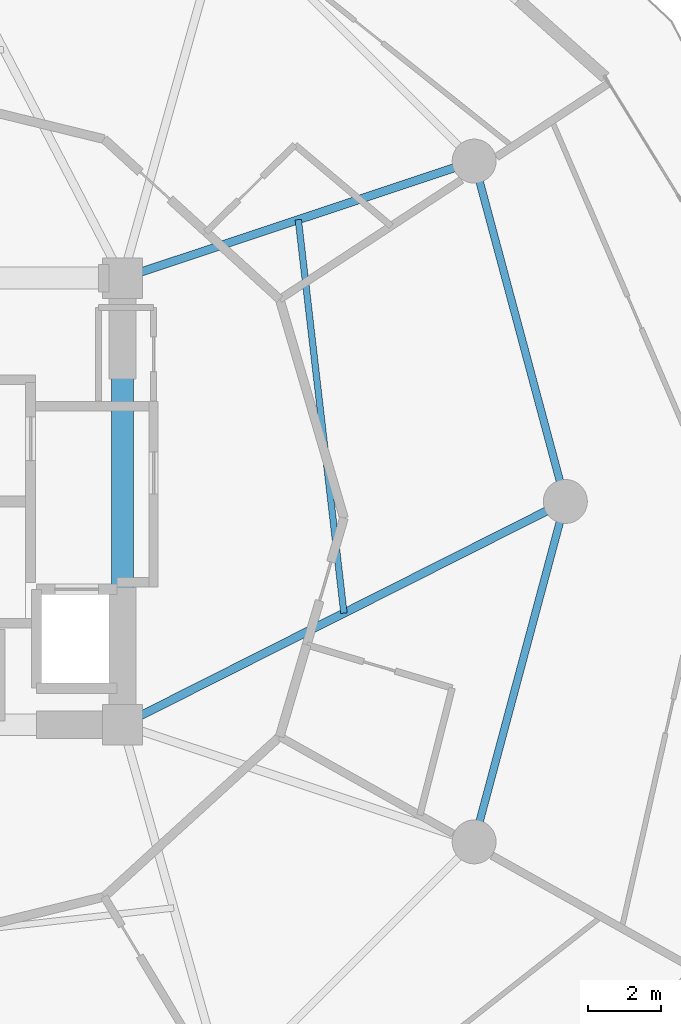
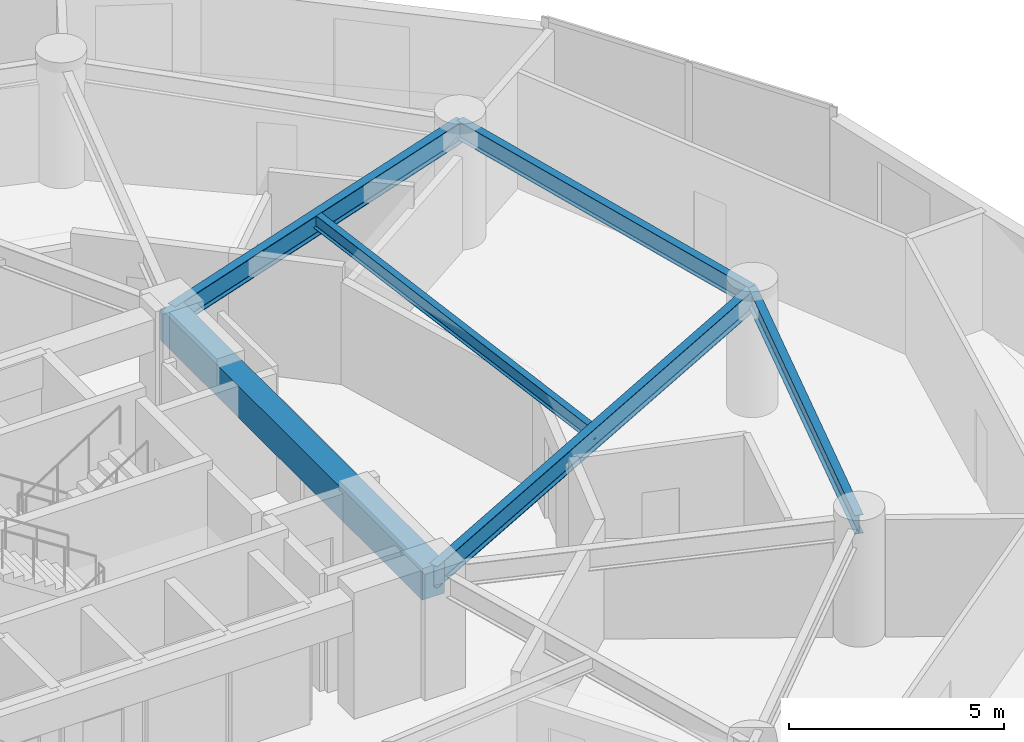
# One storey, part 13 of 26: 6 beams.
"""IFC4 building model written with IfcOpenShell, lengths in metres."""

import ifcopenshell
import ifcopenshell.guid

model = None  # the IFC model being written
_history = None  # IfcOwnerHistory: only IFC2X3 demands one
_inside = {}  # id of a spatial element -> (the spatial element, [elements in it])
_under = {}  # id of a project, library or spatial element -> (it, [spatial elements below it])
_declared = {}  # id of a project -> (the project, [libraries it declares])
_typed = {}  # id of a type object -> (the type object, [elements of that type])
_made_of = {}  # id of a material, layer set ... -> (it, [elements and type objects made of it])


def new_model(schema):
    """Start an empty IFC model of exactly this schema.

    Asked for "IFC4X3", IfcOpenShell would pick the latest addendum, in which some entities
    have other attributes; the version numbers below select the first issue.
    IFC2X3 requires an IfcOwnerHistory on every rooted entity: one is made here for all.
    """
    global model, _history
    if schema == "IFC4X3":
        model = ifcopenshell.file(schema_version=(4, 3, 0, 0))
    else:
        model = ifcopenshell.file(schema=schema)
    _inside.clear()
    _under.clear()
    _declared.clear()
    _typed.clear()
    _made_of.clear()
    _history = None
    if model.schema == "IFC2X3":
        org = make("IfcOrganization", Name="unknown")
        user = make(
            "IfcPersonAndOrganization",
            ThePerson=make("IfcPerson", FamilyName="unknown"),
            TheOrganization=org,
        )
        app = make(
            "IfcApplication",
            ApplicationDeveloper=org,
            Version="unknown",
            ApplicationFullName="unknown",
            ApplicationIdentifier="unknown",
        )
        _history = make(
            "IfcOwnerHistory",
            OwningUser=user,
            OwningApplication=app,
            ChangeAction="ADDED",
            CreationDate=0,
        )
    return model


def make(cls, **values):
    """One entity of the class cls with the attributes given. An attribute that is None is left unset."""
    return model.create_entity(
        cls, **{name: value for name, value in values.items() if value is not None}
    )


def rooted(cls, **values):
    """An entity with a GlobalId (a new one), such as an element, a storey or a relation."""
    return make(cls, GlobalId=ifcopenshell.guid.new(), OwnerHistory=_history, **values)


def si_unit(unit_type, name, prefix=None):
    """IfcSIUnit, for example si_unit("LENGTHUNIT", "METRE", prefix="MILLI")."""
    return make("IfcSIUnit", UnitType=unit_type, Prefix=prefix, Name=name)


def assignment(units):
    """IfcUnitAssignment: the units of a project."""
    return None if units is None else make("IfcUnitAssignment", Units=units)


def point(xyz):
    """IfcCartesianPoint."""
    return None if xyz is None else make("IfcCartesianPoint", Coordinates=xyz)


def direction(xyz):
    """IfcDirection."""
    return None if xyz is None else make("IfcDirection", DirectionRatios=xyz)


def frame(location, z_axis=None, x_axis=None):
    """IfcAxis2Placement3D, a coordinate frame: its origin and axes. An axis left out is left unset."""
    return make(
        "IfcAxis2Placement3D",
        Location=point(location),
        Axis=direction(z_axis),
        RefDirection=direction(x_axis),
    )


def frame_2d(location, x_axis=None):
    """IfcAxis2Placement2D, a coordinate frame in the plane: its origin and x axis."""
    return make(
        "IfcAxis2Placement2D", Location=point(location), RefDirection=direction(x_axis)
    )


def origin():
    """The frame at (0, 0, 0) with its axes left unset."""
    return frame((0.0, 0.0, 0.0))


def origin_2d():
    """The frame at (0, 0) in the plane with its x axis left unset."""
    return frame_2d((0.0, 0.0))


def place(relative_to, where):
    """IfcLocalPlacement: puts the frame where relative to a parent placement (None: the world)."""
    return make(
        "IfcLocalPlacement", PlacementRelTo=relative_to, RelativePlacement=where
    )


def context(
    kind, dimensions, precision=None, world=None, true_north=None, identifier=None
):
    """IfcGeometricRepresentationContext, for example the 3D "Model" context."""
    return make(
        "IfcGeometricRepresentationContext",
        ContextIdentifier=identifier,
        ContextType=kind,
        CoordinateSpaceDimension=dimensions,
        Precision=precision,
        WorldCoordinateSystem=world,
        TrueNorth=true_north,
    )


def subcontext(parent, identifier, kind, view, scale=None):
    """IfcGeometricRepresentationSubContext, for example "Body" below "Model"."""
    return make(
        "IfcGeometricRepresentationSubContext",
        ContextIdentifier=identifier,
        ContextType=kind,
        ParentContext=parent,
        TargetScale=scale,
        TargetView=view,
    )


def project(units=None, contexts=None):
    """IfcProject with its units and contexts."""
    return rooted(
        "IfcProject",
        Name="project",
        RepresentationContexts=contexts,
        UnitsInContext=assignment(units),
    )


def spatial(cls, under=None, at=None, **own):
    """A site, building, storey or space (cls), placed at a placement, below another one or the project."""
    s = rooted(cls, ObjectPlacement=at, **own)
    if under is not None:
        _under.setdefault(under.id(), (under, []))[1].append(s)
    return s


def profile(cls, at=None, kind="AREA", **sizes):
    """A parametric profile (cls). Its sizes go by their IFC names, for example OverallWidth=200.0."""
    return make(cls, ProfileType=kind, Position=at, **sizes)


def rectangle(**sizes):
    """IfcRectangleProfileDef."""
    return profile("IfcRectangleProfileDef", **sizes)


def i_section(**sizes):
    """IfcIShapeProfileDef."""
    return profile("IfcIShapeProfileDef", **sizes)


def extrude(swept, where, along, depth):
    """IfcExtrudedAreaSolid: the profile swept, set in the frame where, extruded along a direction by depth."""
    return make(
        "IfcExtrudedAreaSolid",
        SweptArea=swept,
        Position=where,
        ExtrudedDirection=direction(along),
        Depth=depth,
    )


def shape(context_of_items, identifier, shape_type, items):
    """IfcShapeRepresentation: the items that make up one representation, for example the "Body"."""
    return make(
        "IfcShapeRepresentation",
        ContextOfItems=context_of_items,
        RepresentationIdentifier=identifier,
        RepresentationType=shape_type,
        Items=items,
    )


def material(Name=None, Category=None):
    """IfcMaterial."""
    return make("IfcMaterial", Name=Name, Category=Category)


def material_profile(
    of_material, cross_section, Name=None, Category=None, Priority=None
):
    """IfcMaterialProfile: a cross section and its material."""
    return make(
        "IfcMaterialProfile",
        Name=Name,
        Material=of_material,
        Profile=cross_section,
        Priority=Priority,
        Category=Category,
    )


def profile_set(profiles, Name=None, composite=None):
    """IfcMaterialProfileSet."""
    return make(
        "IfcMaterialProfileSet",
        Name=Name,
        MaterialProfiles=profiles,
        CompositeProfile=composite,
    )


def made_of(thing, what):
    """Note that an element or type object is made of a material, layer set ...; save() writes the relation."""
    if what is not None:
        _made_of.setdefault(what.id(), (what, []))[1].append(thing)
    return thing


def type_object(cls, material=None, **own):
    """A type object (cls), such as IfcWallType, which elements share."""
    return made_of(rooted(cls, **own), material)


def element(
    cls,
    number,
    at=None,
    inside=None,
    cuts=None,
    type_object=None,
    material=None,
    context=None,
    identifier="Body",
    shape_type=None,
    held_by="IfcProductDefinitionShape",
    body=None,
    shapes=None,
    **own,
):
    """One element of the class cls, such as IfcWall. Its Tag is "e" and its number.

    at: its placement. inside: the storey or other place that contains it. cuts: it is an
    opening in that element (IfcRelVoidsElement). A single representation is given by context,
    identifier, shape_type and body (its items); several are given by shapes. held_by: the class
    of the entity that holds the representations. save() writes the other relations.
    """
    e = rooted(cls, Tag="e%d" % number, ObjectPlacement=at, **own)
    if body is not None:
        shapes = [shape(context, identifier, shape_type, body)]
    if shapes is not None:
        e.Representation = make(held_by, Representations=shapes)
    if inside is not None:
        _inside.setdefault(inside.id(), (inside, []))[1].append(e)
    if cuts is not None:
        rooted(
            "IfcRelVoidsElement", RelatingBuildingElement=cuts, RelatedOpeningElement=e
        )
    if type_object is not None:
        _typed.setdefault(type_object.id(), (type_object, []))[1].append(e)
    return made_of(e, material)


def aggregate(whole, parts):
    """IfcRelAggregates: a whole, such as a stair, and the parts it consists of."""
    return rooted("IfcRelAggregates", RelatingObject=whole, RelatedObjects=parts)


def save(model, path):
    """Write the relations noted so far, then the file.

    IfcRelAggregates (storeys below a building ...), IfcRelContainedInSpatialStructure (elements
    in a storey), IfcRelDefinesByType, IfcRelAssociatesMaterial and IfcRelDeclares: one each for
    every whole, place, type object, material and project.
    """
    for whole, parts in _under.values():
        aggregate(whole, parts)
    for where, things in _inside.values():
        rooted(
            "IfcRelContainedInSpatialStructure",
            RelatedElements=things,
            RelatingStructure=where,
        )
    for kind, things in _typed.values():
        rooted("IfcRelDefinesByType", RelatedObjects=things, RelatingType=kind)
    for what, things in _made_of.values():
        rooted("IfcRelAssociatesMaterial", RelatedObjects=things, RelatingMaterial=what)
    for by, libraries in _declared.values():
        rooted("IfcRelDeclares", RelatingContext=by, RelatedDefinitions=libraries)
    model.write(path)


model = new_model("IFC4")

# Units and contexts
model_context = context("Model", 3, precision=1e-05, world=origin(), true_north=direction((0.0, 1.0)))
body_context = subcontext(model_context, "Body", "Model", "MODEL_VIEW")
ifc_project = project(units=[si_unit("LENGTHUNIT", "METRE"), si_unit("AREAUNIT", "SQUARE_METRE"), si_unit("VOLUMEUNIT", "CUBIC_METRE"), si_unit("PLANEANGLEUNIT", "RADIAN"), si_unit("MASSUNIT", "GRAM", prefix="KILO")], contexts=[model_context])

# Site, building, storey
site_placement = place(None, origin())
site = spatial("IfcSite", under=ifc_project, at=site_placement, CompositionType="ELEMENT")
building_placement = place(site_placement, origin())
building = spatial("IfcBuilding", under=site, at=building_placement, Name="Solvirekh Grand Hotel", CompositionType="ELEMENT")
storey_placement = place(building_placement, frame((0.0, 0.0, 71.60009765625)))
storey = spatial("IfcBuildingStorey", under=building, at=storey_placement, Name="L17", CompositionType="ELEMENT", Elevation=71.60009765625)

# Beams
ifc_material_1 = material(Name="Concrete C50/60", Category="concrete")
ifc_material_profile_1 = material_profile(ifc_material_1, rectangle(XDim=0.60009765625, YDim=0.89990234375, at=origin_2d()), Name="RC BEAM 600X900")
ifc_profile_set_1 = profile_set([ifc_material_profile_1], Name="Concrete C50/60")
beam_type_1 = type_object("IfcBeamType", Name="Beam_Core_RC900", PredefinedType="BEAM", material=ifc_profile_set_1)
beam_1_placement = place(storey_placement, frame((6.5, -6.10009765625, 2.889892578125), z_axis=(0.0, 1.0, 0.0), x_axis=(-1.0, 0.0, 0.0)))
element("IfcBeam", 1, at=beam_1_placement, inside=storey, type_object=beam_type_1, Name="L17 core coupling ring beam 2", PredefinedType="BEAM", context=body_context, shape_type="SweptSolid", body=[
    extrude(rectangle(XDim=0.60009765625, YDim=0.89990234375, at=origin_2d()), origin(), (0.0, 0.0, 1.0), 12.2001953125),
])
ifc_material_2 = material(Name="Steel S355", Category="steel")
ifc_material_profile_2 = material_profile(ifc_material_2, i_section(OverallWidth=0.22802734375, OverallDepth=0.616943359375, WebThickness=0.012939453125, FlangeThickness=0.02001953125, FilletRadius=0.014892578125, at=origin_2d()), Name="W610X140")
ifc_profile_set_2 = profile_set([ifc_material_profile_2], Name="Steel S355")
beam_type_2 = type_object("IfcBeamType", Name="Beam_Radial_W610", PredefinedType="BEAM", material=ifc_profile_set_2)
beam_2_placement = place(storey_placement, frame((6.5, -6.10009765625, 3.031982421875), z_axis=(0.892944939011, 0.450165898191, 0.0), x_axis=(-0.450165898191, 0.892944939011, 0.0)))
element("IfcBeam", 2, at=beam_2_placement, inside=storey, type_object=beam_type_2, Name="L17 radial floor beam R01", PredefinedType="BEAM", context=body_context, shape_type="SweptSolid", body=[
    extrude(i_section(OverallWidth=0.22802734375, OverallDepth=0.616943359375, WebThickness=0.012939453125, FlangeThickness=0.02001953125, FilletRadius=0.014892578125, at=origin_2d()), origin(), (0.0, 0.0, 1.0), 13.55078125),
])
beam_3_placement = place(storey_placement, frame((6.5, 6.10009765625, 3.031982421875), z_axis=(0.948762825819, 0.315989082635, 0.0), x_axis=(-0.315989082635, 0.948762825819, 0.0)))
element("IfcBeam", 3, at=beam_3_placement, inside=storey, type_object=beam_type_2, Name="L17 radial floor beam R02", PredefinedType="BEAM", context=body_context, shape_type="SweptSolid", body=[
    extrude(i_section(OverallWidth=0.22802734375, OverallDepth=0.616943359375, WebThickness=0.012939453125, FlangeThickness=0.02001953125, FilletRadius=0.014892578125, at=origin_2d()), origin(), (0.0, 0.0, 1.0), 10.126708984375),
])
ifc_material_profile_3 = material_profile(ifc_material_2, i_section(OverallWidth=0.177978515625, OverallDepth=0.406982421875, WebThickness=0.008056640625, FlangeThickness=0.011962890625, FilletRadius=0.011962890625, at=origin_2d()), Name="W410X60")
ifc_profile_set_3 = profile_set([ifc_material_profile_3], Name="Steel S355")
beam_type_3 = type_object("IfcBeamType", Name="Joist_Floor_W410", PredefinedType="JOIST", material=ifc_profile_set_3)
beam_4_placement = place(storey_placement, frame((12.550048828125, -3.050048828125, 3.135986328125), z_axis=(-0.115144710849, 0.993348728073, 0.0), x_axis=(-0.993348728073, -0.115144710849, 0.0)))
element("IfcBeam", 4, at=beam_4_placement, inside=storey, type_object=beam_type_3, Name="L17 secondary composite floor joist 1", PredefinedType="JOIST", context=body_context, shape_type="SweptSolid", body=[
    extrude(i_section(OverallWidth=0.177978515625, OverallDepth=0.406982421875, WebThickness=0.008056640625, FlangeThickness=0.011962890625, FilletRadius=0.011962890625, at=origin_2d()), origin(), (0.0, 0.0, 1.0), 10.822021484375),
])
ifc_material_profile_4 = material_profile(ifc_material_2, i_section(OverallWidth=0.208984375, OverallDepth=0.532958984375, WebThickness=0.010009765625, FlangeThickness=0.014892578125, FilletRadius=0.013916015625, at=origin_2d()), Name="W530X92")
ifc_profile_set_4 = profile_set([ifc_material_profile_4], Name="Steel S355")
beam_type_4 = type_object("IfcBeamType", Name="Spandrel_Ring_W530", PredefinedType="SPANDREL", material=ifc_profile_set_4)
for number, where, z_axis, x_axis, name in (
    (5, (18.60009765625, 0.0, 3.073974609375), (-0.258842973314, 0.965919414426, 0.0), (-0.965919414426, -0.258842973314, 0.0), "L17 perimeter spandrel beam 1"),
    (6, (16.10791015625, -9.300048828125, 3.073974609375), (0.258842973314, 0.965919414426, 0.0), (-0.965919414426, 0.258842973314, 0.0), "L17 perimeter spandrel beam 12"),
):
    element("IfcBeam", number, at=place(storey_placement, frame(where, z_axis=z_axis, x_axis=x_axis)), inside=storey, type_object=beam_type_4, Name=name, PredefinedType="SPANDREL", context=body_context, shape_type="SweptSolid", body=[
        extrude(i_section(OverallWidth=0.208984375, OverallDepth=0.532958984375, WebThickness=0.010009765625, FlangeThickness=0.014892578125, FilletRadius=0.013916015625, at=origin_2d()), origin(), (0.0, 0.0, 1.0), 9.628173828125),
    ])

save(model, "model.ifc")
